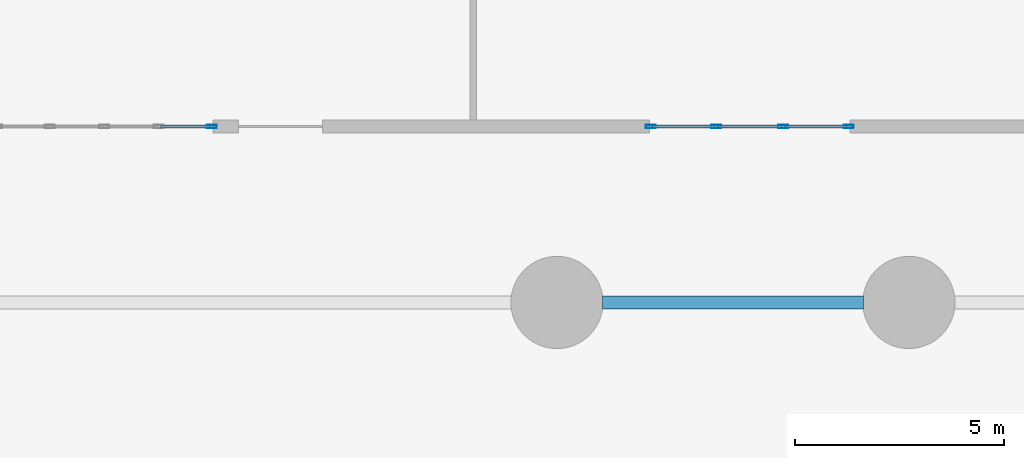
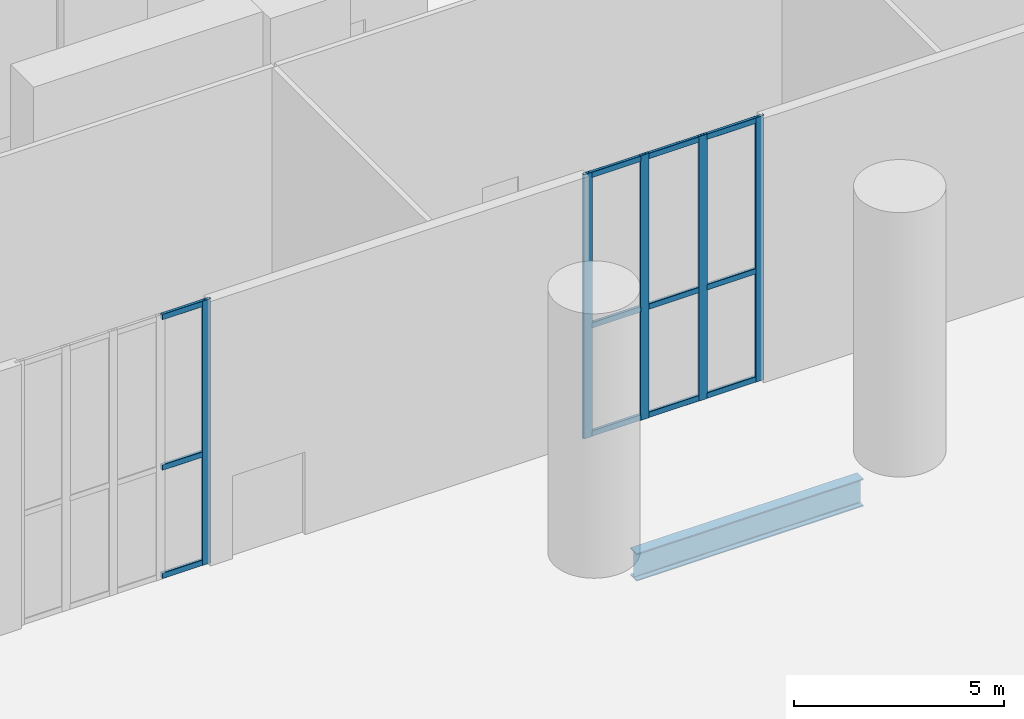
# One storey, part 4 of 17: 17 members, 1 beam, 2 elements without a shape of their own.
"""IFC4 building model written with IfcOpenShell, lengths in metres."""

from ifc_helpers import new_model, si_unit, direction, frame, origin, origin_2d, place, context, subcontext, project, spatial, hollow_rectangle, i_section, extrude, material, layer, layer_set, material_profile, profile_set, type_object, element, aggregate, save


model = new_model("IFC4")

# Units and contexts
model_context = context("Model", 3, precision=1e-05, world=origin(), true_north=direction((0.0, 1.0)))
body_context = subcontext(model_context, "Body", "Model", "MODEL_VIEW")
ifc_project = project(units=[si_unit("LENGTHUNIT", "METRE"), si_unit("AREAUNIT", "SQUARE_METRE"), si_unit("VOLUMEUNIT", "CUBIC_METRE"), si_unit("PLANEANGLEUNIT", "RADIAN"), si_unit("MASSUNIT", "GRAM", prefix="KILO")], contexts=[model_context])

# Site, building, storey
site_placement = place(None, origin())
site = spatial("IfcSite", under=ifc_project, at=site_placement, CompositionType="ELEMENT")
building_placement = place(site_placement, origin())
building = spatial("IfcBuilding", under=site, at=building_placement, Name="Kaelvorn Grand Hotel", CompositionType="ELEMENT")
storey_placement = place(building_placement, origin())
storey = spatial("IfcBuildingStorey", under=building, at=storey_placement, Name="L00", CompositionType="ELEMENT", Elevation=0.0)

# Beam
ifc_material_1 = material(Name="Steel S355", Category="steel")
ifc_material_profile_1 = material_profile(ifc_material_1, i_section(OverallWidth=0.300048828125, OverallDepth=0.800048828125, WebThickness=0.017578125, FlangeThickness=0.032958984375, FilletRadius=0.030029296875, at=origin_2d()), Name="HEB 800")
ifc_profile_set_1 = profile_set([ifc_material_profile_1], Name="Steel S355")
beam_type = type_object("IfcBeamType", Name="BM-G-HEB800-S355", PredefinedType="BEAM", material=ifc_profile_set_1)
beam_placement = place(storey_placement, frame((38.885009765625, 15.0, -0.75), z_axis=(1.0, 0.0, 0.0), x_axis=(0.0, 1.0, 0.0)))
element("IfcBeam", 1, at=beam_placement, inside=storey, type_object=beam_type, Name="L00 Primary Spine Steel Girder G-15 04", PredefinedType="BEAM", context=body_context, shape_type="SweptSolid", body=[
    extrude(i_section(OverallWidth=0.300048828125, OverallDepth=0.800048828125, WebThickness=0.017578125, FlangeThickness=0.032958984375, FilletRadius=0.030029296875, at=origin_2d()), origin(), (0.0, 0.0, 1.0), 6.22998046875),
])

# Curtain wall, members
ifc_material_2 = material(Name="Anodised Aluminium", Category="aluminium")
ifc_layer = layer(ifc_material_2, 0.239990234375)
ifc_layer_set = layer_set([ifc_layer], Name="Anodised Aluminium")
curtain_wall_type = type_object("IfcCurtainWallType", Name="CW-SYS1", PredefinedType="NOTDEFINED", material=ifc_layer_set)
curtain_wall_1_placement = place(storey_placement, origin())
curtain_wall_1 = element("IfcCurtainWall", 2, at=curtain_wall_1_placement, inside=storey, type_object=curtain_wall_type, Name="L00 Unitised Curtain Wall CW1 (CW-L00-02)", PredefinedType="NOTDEFINED")
ifc_material_profile_2 = material_profile(ifc_material_2, hollow_rectangle(XDim=0.080078125, YDim=0.239990234375, WallThickness=0.0048828125, InnerFilletRadius=0.0048828125, OuterFilletRadius=0.010009765625, at=origin_2d()), Name="ALU MULL 80x240")
ifc_profile_set_2 = profile_set([ifc_material_profile_2], Name="Anodised Aluminium")
member_type_1 = type_object("IfcMemberType", Name="CW-SYS1-MULL", PredefinedType="MULLION", material=ifc_profile_set_2)
member_1_placement = place(storey_placement, frame((44.760009765625, 19.199951171875, 0.0), z_axis=(0.0, 0.0, 1.0), x_axis=(0.0, -1.0, 0.0)))
member_1 = element("IfcMember", 3, at=member_1_placement, type_object=member_type_1, Name="CW1 mullion 1", PredefinedType="MULLION", context=body_context, shape_type="SweptSolid", body=[
    extrude(hollow_rectangle(XDim=0.080078125, YDim=0.239990234375, WallThickness=0.0048828125, InnerFilletRadius=0.0048828125, OuterFilletRadius=0.010009765625, at=origin_2d()), origin(), (0.0, 0.0, 1.0), 7.679931640625),
])
member_2_placement = place(storey_placement, frame((43.199951171875, 19.199951171875, 0.0), z_axis=(0.0, 0.0, 1.0), x_axis=(0.0, -1.0, 0.0)))
member_2 = element("IfcMember", 4, at=member_2_placement, type_object=member_type_1, Name="CW1 mullion 2", PredefinedType="MULLION", context=body_context, shape_type="SweptSolid", body=[
    extrude(hollow_rectangle(XDim=0.080078125, YDim=0.239990234375, WallThickness=0.0048828125, InnerFilletRadius=0.0048828125, OuterFilletRadius=0.010009765625, at=origin_2d()), origin(), (0.0, 0.0, 1.0), 7.679931640625),
])
member_3_placement = place(storey_placement, frame((41.60009765625, 19.199951171875, 0.0), z_axis=(0.0, 0.0, 1.0), x_axis=(0.0, -1.0, 0.0)))
member_3 = element("IfcMember", 5, at=member_3_placement, type_object=member_type_1, Name="CW1 mullion 3", PredefinedType="MULLION", context=body_context, shape_type="SweptSolid", body=[
    extrude(hollow_rectangle(XDim=0.080078125, YDim=0.239990234375, WallThickness=0.0048828125, InnerFilletRadius=0.0048828125, OuterFilletRadius=0.010009765625, at=origin_2d()), origin(), (0.0, 0.0, 1.0), 7.679931640625),
])
member_4_placement = place(storey_placement, frame((40.0400390625, 19.199951171875, 0.0), z_axis=(0.0, 0.0, 1.0), x_axis=(0.0, -1.0, 0.0)))
member_4 = element("IfcMember", 6, at=member_4_placement, type_object=member_type_1, Name="CW1 mullion 4", PredefinedType="MULLION", context=body_context, shape_type="SweptSolid", body=[
    extrude(hollow_rectangle(XDim=0.080078125, YDim=0.239990234375, WallThickness=0.0048828125, InnerFilletRadius=0.0048828125, OuterFilletRadius=0.010009765625, at=origin_2d()), origin(), (0.0, 0.0, 1.0), 7.679931640625),
])

# Curtain wall, member
curtain_wall_2_placement = place(storey_placement, origin())
curtain_wall_2 = element("IfcCurtainWall", 7, at=curtain_wall_2_placement, inside=storey, type_object=curtain_wall_type, Name="L00 Unitised Curtain Wall CW1 (CW-L00-03)", PredefinedType="NOTDEFINED")
member_5_placement = place(storey_placement, frame((29.56005859375, 19.199951171875, 0.0), z_axis=(0.0, 0.0, 1.0), x_axis=(0.0, -1.0, 0.0)))
member_5 = element("IfcMember", 8, at=member_5_placement, type_object=member_type_1, Name="CW1 mullion 1", PredefinedType="MULLION", context=body_context, shape_type="SweptSolid", body=[
    extrude(hollow_rectangle(XDim=0.080078125, YDim=0.239990234375, WallThickness=0.0048828125, InnerFilletRadius=0.0048828125, OuterFilletRadius=0.010009765625, at=origin_2d()), origin(), (0.0, 0.0, 1.0), 7.679931640625),
])

# Member
ifc_material_profile_3 = material_profile(ifc_material_2, hollow_rectangle(XDim=0.080078125, YDim=0.1650390625, WallThickness=0.00439453125, InnerFilletRadius=0.00439453125, OuterFilletRadius=0.009033203125, at=origin_2d()), Name="ALU TRAN 80x165")
ifc_profile_set_3 = profile_set([ifc_material_profile_3], Name="Anodised Aluminium")
member_type_2 = type_object("IfcMemberType", Name="CW-SYS1-TRAN", PredefinedType="NOTDEFINED", material=ifc_profile_set_3)
member_6_placement = place(storey_placement, frame((44.719970703125, 19.199951171875, 0.08251953125), z_axis=(-1.0, 0.0, 0.0), x_axis=(0.0, -1.0, 0.0)))
member_6 = element("IfcMember", 9, at=member_6_placement, type_object=member_type_2, Name="CW1 transom 1.1", ObjectType="TRANSOM", PredefinedType="USERDEFINED", context=body_context, shape_type="SweptSolid", body=[
    extrude(hollow_rectangle(XDim=0.080078125, YDim=0.1650390625, WallThickness=0.00439453125, InnerFilletRadius=0.00439453125, OuterFilletRadius=0.009033203125, at=origin_2d()), origin(), (0.0, 0.0, 1.0), 1.47998046875),
])

member_7_placement = place(storey_placement, frame((44.719970703125, 19.199951171875, 3.2255859375), z_axis=(-1.0, 0.0, 0.0), x_axis=(0.0, -1.0, 0.0)))
member_7 = element("IfcMember", 10, at=member_7_placement, type_object=member_type_2, Name="CW1 transom 1.2", ObjectType="TRANSOM", PredefinedType="USERDEFINED", context=body_context, shape_type="SweptSolid", body=[
    extrude(hollow_rectangle(XDim=0.080078125, YDim=0.1650390625, WallThickness=0.00439453125, InnerFilletRadius=0.00439453125, OuterFilletRadius=0.009033203125, at=origin_2d()), origin(), (0.0, 0.0, 1.0), 1.47998046875),
])

member_8_placement = place(storey_placement, frame((44.719970703125, 19.199951171875, 7.597412109375), z_axis=(-1.0, 0.0, 0.0), x_axis=(0.0, -1.0, 0.0)))
member_8 = element("IfcMember", 11, at=member_8_placement, type_object=member_type_2, Name="CW1 transom 1.3", ObjectType="TRANSOM", PredefinedType="USERDEFINED", context=body_context, shape_type="SweptSolid", body=[
    extrude(hollow_rectangle(XDim=0.080078125, YDim=0.1650390625, WallThickness=0.00439453125, InnerFilletRadius=0.00439453125, OuterFilletRadius=0.009033203125, at=origin_2d()), origin(), (0.0, 0.0, 1.0), 1.47998046875),
])

member_9_placement = place(storey_placement, frame((43.159912109375, 19.199951171875, 0.08251953125), z_axis=(-1.0, 0.0, 0.0), x_axis=(0.0, -1.0, 0.0)))
member_9 = element("IfcMember", 12, at=member_9_placement, type_object=member_type_2, Name="CW1 transom 2.1", ObjectType="TRANSOM", PredefinedType="USERDEFINED", context=body_context, shape_type="SweptSolid", body=[
    extrude(hollow_rectangle(XDim=0.080078125, YDim=0.1650390625, WallThickness=0.00439453125, InnerFilletRadius=0.00439453125, OuterFilletRadius=0.009033203125, at=origin_2d()), origin(), (0.0, 0.0, 1.0), 1.52001953125),
])

member_10_placement = place(storey_placement, frame((43.159912109375, 19.199951171875, 3.2255859375), z_axis=(-1.0, 0.0, 0.0), x_axis=(0.0, -1.0, 0.0)))
member_10 = element("IfcMember", 13, at=member_10_placement, type_object=member_type_2, Name="CW1 transom 2.2", ObjectType="TRANSOM", PredefinedType="USERDEFINED", context=body_context, shape_type="SweptSolid", body=[
    extrude(hollow_rectangle(XDim=0.080078125, YDim=0.1650390625, WallThickness=0.00439453125, InnerFilletRadius=0.00439453125, OuterFilletRadius=0.009033203125, at=origin_2d()), origin(), (0.0, 0.0, 1.0), 1.52001953125),
])

member_11_placement = place(storey_placement, frame((43.159912109375, 19.199951171875, 7.597412109375), z_axis=(-1.0, 0.0, 0.0), x_axis=(0.0, -1.0, 0.0)))
member_11 = element("IfcMember", 14, at=member_11_placement, type_object=member_type_2, Name="CW1 transom 2.3", ObjectType="TRANSOM", PredefinedType="USERDEFINED", context=body_context, shape_type="SweptSolid", body=[
    extrude(hollow_rectangle(XDim=0.080078125, YDim=0.1650390625, WallThickness=0.00439453125, InnerFilletRadius=0.00439453125, OuterFilletRadius=0.009033203125, at=origin_2d()), origin(), (0.0, 0.0, 1.0), 1.52001953125),
])

member_12_placement = place(storey_placement, frame((41.56005859375, 19.199951171875, 0.08251953125), z_axis=(-1.0, 0.0, 0.0), x_axis=(0.0, -1.0, 0.0)))
member_12 = element("IfcMember", 15, at=member_12_placement, type_object=member_type_2, Name="CW1 transom 3.1", ObjectType="TRANSOM", PredefinedType="USERDEFINED", context=body_context, shape_type="SweptSolid", body=[
    extrude(hollow_rectangle(XDim=0.080078125, YDim=0.1650390625, WallThickness=0.00439453125, InnerFilletRadius=0.00439453125, OuterFilletRadius=0.009033203125, at=origin_2d()), origin(), (0.0, 0.0, 1.0), 1.47998046875),
])

member_13_placement = place(storey_placement, frame((41.56005859375, 19.199951171875, 3.2255859375), z_axis=(-1.0, 0.0, 0.0), x_axis=(0.0, -1.0, 0.0)))
member_13 = element("IfcMember", 16, at=member_13_placement, type_object=member_type_2, Name="CW1 transom 3.2", ObjectType="TRANSOM", PredefinedType="USERDEFINED", context=body_context, shape_type="SweptSolid", body=[
    extrude(hollow_rectangle(XDim=0.080078125, YDim=0.1650390625, WallThickness=0.00439453125, InnerFilletRadius=0.00439453125, OuterFilletRadius=0.009033203125, at=origin_2d()), origin(), (0.0, 0.0, 1.0), 1.47998046875),
])

member_14_placement = place(storey_placement, frame((41.56005859375, 19.199951171875, 7.597412109375), z_axis=(-1.0, 0.0, 0.0), x_axis=(0.0, -1.0, 0.0)))
member_14 = element("IfcMember", 17, at=member_14_placement, type_object=member_type_2, Name="CW1 transom 3.3", ObjectType="TRANSOM", PredefinedType="USERDEFINED", context=body_context, shape_type="SweptSolid", body=[
    extrude(hollow_rectangle(XDim=0.080078125, YDim=0.1650390625, WallThickness=0.00439453125, InnerFilletRadius=0.00439453125, OuterFilletRadius=0.009033203125, at=origin_2d()), origin(), (0.0, 0.0, 1.0), 1.47998046875),
])

aggregate(curtain_wall_1, [member_1, member_2, member_3, member_4, member_6, member_7, member_8, member_9, member_10, member_11, member_12, member_13, member_14])

member_15_placement = place(storey_placement, frame((29.52001953125, 19.199951171875, 0.08251953125), z_axis=(-1.0, 0.0, 0.0), x_axis=(0.0, -1.0, 0.0)))
member_15 = element("IfcMember", 18, at=member_15_placement, type_object=member_type_2, Name="CW1 transom 1.1", ObjectType="TRANSOM", PredefinedType="USERDEFINED", context=body_context, shape_type="SweptSolid", body=[
    extrude(hollow_rectangle(XDim=0.080078125, YDim=0.1650390625, WallThickness=0.00439453125, InnerFilletRadius=0.00439453125, OuterFilletRadius=0.009033203125, at=origin_2d()), origin(), (0.0, 0.0, 1.0), 1.179931640625),
])

member_16_placement = place(storey_placement, frame((29.52001953125, 19.199951171875, 3.2255859375), z_axis=(-1.0, 0.0, 0.0), x_axis=(0.0, -1.0, 0.0)))
member_16 = element("IfcMember", 19, at=member_16_placement, type_object=member_type_2, Name="CW1 transom 1.2", ObjectType="TRANSOM", PredefinedType="USERDEFINED", context=body_context, shape_type="SweptSolid", body=[
    extrude(hollow_rectangle(XDim=0.080078125, YDim=0.1650390625, WallThickness=0.00439453125, InnerFilletRadius=0.00439453125, OuterFilletRadius=0.009033203125, at=origin_2d()), origin(), (0.0, 0.0, 1.0), 1.179931640625),
])

member_17_placement = place(storey_placement, frame((29.52001953125, 19.199951171875, 7.597412109375), z_axis=(-1.0, 0.0, 0.0), x_axis=(0.0, -1.0, 0.0)))
member_17 = element("IfcMember", 20, at=member_17_placement, type_object=member_type_2, Name="CW1 transom 1.3", ObjectType="TRANSOM", PredefinedType="USERDEFINED", context=body_context, shape_type="SweptSolid", body=[
    extrude(hollow_rectangle(XDim=0.080078125, YDim=0.1650390625, WallThickness=0.00439453125, InnerFilletRadius=0.00439453125, OuterFilletRadius=0.009033203125, at=origin_2d()), origin(), (0.0, 0.0, 1.0), 1.179931640625),
])

aggregate(curtain_wall_2, [member_5, member_15, member_16, member_17])

save(model, "model.ifc")
